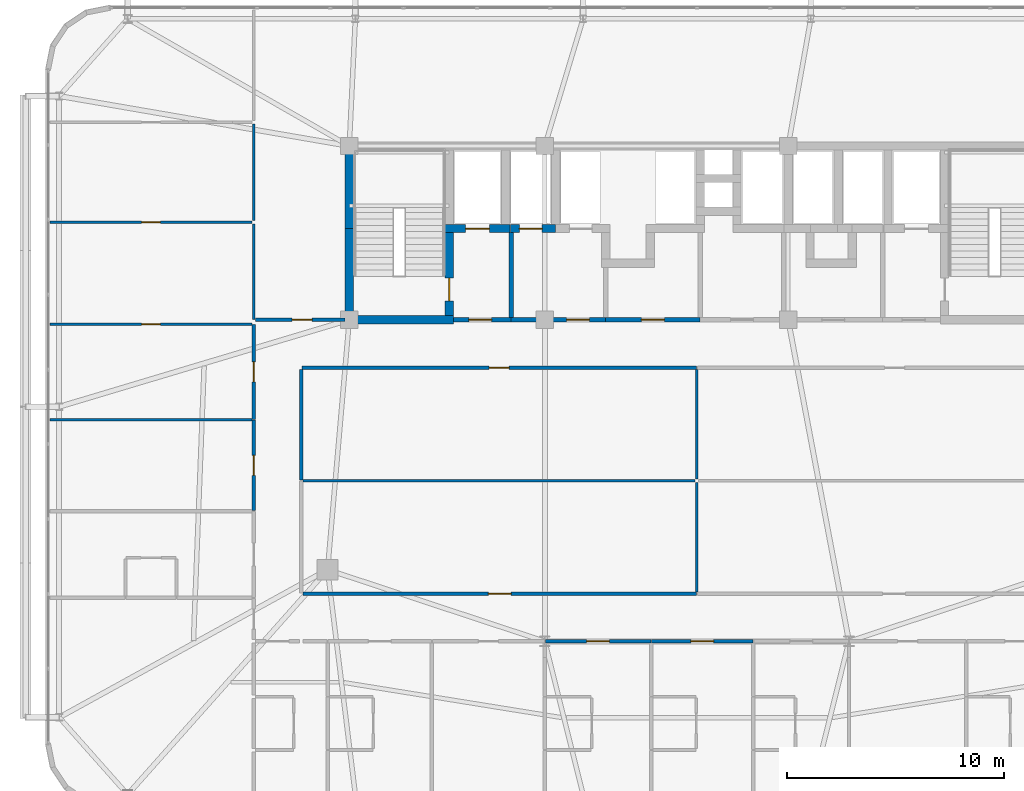
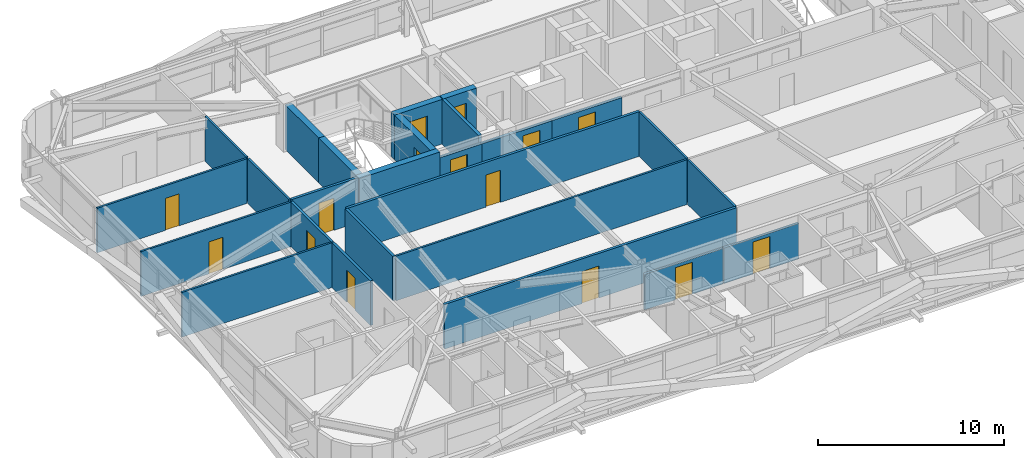
# One storey, part 53 of 59: 26 walls, 15 doors, 15 openings.
"""IFC4 building model written with IfcOpenShell, lengths in metres."""

from ifc_helpers import new_model, si_unit, direction, frame, frame_2d, origin, place, context, subcontext, project, spatial, rectangle, extrude, source, transform, mapped, material, layer, layer_set, type_object, element, fill, save


model = new_model("IFC4")

# Units and contexts
model_context = context("Model", 3, precision=1e-05, world=origin(), true_north=direction((0.0, 1.0)))
body_context = subcontext(model_context, "Body", "Model", "MODEL_VIEW")
ifc_project = project(units=[si_unit("LENGTHUNIT", "METRE"), si_unit("AREAUNIT", "SQUARE_METRE"), si_unit("VOLUMEUNIT", "CUBIC_METRE"), si_unit("PLANEANGLEUNIT", "RADIAN"), si_unit("MASSUNIT", "GRAM", prefix="KILO")], contexts=[model_context])

# Site, building, storey
site_placement = place(None, origin())
site = spatial("IfcSite", under=ifc_project, at=site_placement, CompositionType="ELEMENT")
building_placement = place(site_placement, origin())
building = spatial("IfcBuilding", under=site, at=building_placement, Name="Taldren Reach Tower", CompositionType="ELEMENT")
storey_placement = place(building_placement, frame((0.0, 0.0, 23.10009765625)))
storey = spatial("IfcBuildingStorey", under=building, at=storey_placement, Name="L06", CompositionType="ELEMENT", Elevation=23.10009765625)

# Walls
ifc_material_1 = material(Name="Concrete S80 (80 MPa)", Category="concrete")
ifc_layer_1 = layer(ifc_material_1, 0.3798828125)
ifc_layer_set_1 = layer_set([ifc_layer_1], Name="Concrete S80 (80 MPa)")
wall_type_1 = type_object("IfcWallType", Name="IW-CORE-380", PredefinedType="SHEAR", material=ifc_layer_set_1)
shared_shape_1 = source(origin(), body_context, "Body", "SweptSolid", [
    extrude(rectangle(XDim=4.010009765625, YDim=0.3798828125, at=frame_2d((2.0048828125, 0.0))), origin(), (0.0, 0.0, 1.0), 2.929931640625),
])
wall_1_placement = place(storey_placement, frame((19.0, 24.18994140625, 0.0), z_axis=(0.0, 0.0, 1.0), x_axis=(0.0, 1.0, 0.0)))
element("IfcWall", 1, at=wall_1_placement, inside=storey, type_object=wall_type_1, Name="Rear Core Shear Wall W-CORE-L06-WEST1", PredefinedType="SHEAR", context=body_context, shape_type="MappedRepresentation", body=[
    mapped(shared_shape_1, transform((0.0, 0.0, 0.0), scale=1.0)),
])
shared_shape_2 = source(origin(), body_context, "Body", "SweptSolid", [
    extrude(rectangle(XDim=3.610107421875, YDim=0.3798828125, at=frame_2d((1.80517578125, 0.0))), origin(), (0.0, 0.0, 1.0), 2.929931640625),
])
wall_2_placement = place(storey_placement, frame((19.0, 28.199951171875, 0.0), z_axis=(0.0, 0.0, 1.0), x_axis=(0.0, 1.0, 0.0)))
element("IfcWall", 2, at=wall_2_placement, inside=storey, type_object=wall_type_1, Name="Rear Core Shear Wall W-CORE-L06-WEST2", PredefinedType="SHEAR", context=body_context, shape_type="MappedRepresentation", body=[
    mapped(shared_shape_2, transform((0.0, 0.0, 0.0), scale=1.0)),
])

# Wall, opening, door
shared_shape_3 = source(origin(), body_context, "Body", "SweptSolid", [
    extrude(rectangle(XDim=3.820068359375, YDim=0.3798828125, at=frame_2d((1.91015625, 0.0))), origin(), (0.0, 0.0, 1.0), 2.929931640625),
])
wall_3_placement = place(storey_placement, frame((23.60009765625, 24.18994140625, 0.0), z_axis=(0.0, 0.0, 1.0), x_axis=(0.0, 1.0, 0.0)))
wall_3 = element("IfcWall", 3, at=wall_3_placement, inside=storey, type_object=wall_type_1, Name="Rear Core Shear Wall W-INT-L06-002", PredefinedType="SHEAR", context=body_context, shape_type="MappedRepresentation", body=[
    mapped(shared_shape_3, transform((0.0, 0.0, 0.0), scale=1.0)),
])
shared_shape_4 = source(origin(), body_context, "Body", "SweptSolid", [
    extrude(rectangle(XDim=1.050048828125, YDim=2.10009765625, at=frame_2d((0.52490234375, 1.050048828125))), frame((0.0, 0.199951171875, 0.0), z_axis=(0.0, -1.0, 0.0), x_axis=(1.0, 0.0, 0.0)), (0.0, 0.0, 1.0), 0.39990234375),
])
opening_1_placement = place(wall_3_placement, frame((0.68505859375, 0.0, 0.0)))
opening_1 = element("IfcOpeningElement", 4, at=opening_1_placement, cuts=wall_3, Name="Opening DF-105", PredefinedType="OPENING", context=body_context, shape_type="MappedRepresentation", body=[
    mapped(shared_shape_4, transform((0.0, 0.0, 0.0), scale=1.0)),
])
ifc_material_2 = material(Name="Fire-Rated Care and Stair Exit Door")
door_type_1 = type_object("IfcDoorType", Name="ID-FIRE-105", OperationType="NOTDEFINED", PredefinedType="DOOR", material=ifc_material_2)
shared_shape_5 = source(origin(), body_context, "Body", "SweptSolid", [
    extrude(rectangle(XDim=1.050048828125, YDim=2.10009765625, at=frame_2d((0.52490234375, 1.050048828125))), frame((0.0, 0.02490234375, 0.0), z_axis=(0.0, -1.0, 0.0), x_axis=(1.0, 0.0, 0.0)), (0.0, 0.0, 1.0), 0.050048828125),
])
door_1_placement = place(opening_1_placement, origin())
door_1 = element("IfcDoor", 5, at=door_1_placement, inside=storey, type_object=door_type_1, Name="Fire Exit Stair Door DR-L06-001", OperationType="SINGLE_SWING_LEFT", OverallHeight=2.10009765625, OverallWidth=1.050048828125, PredefinedType="DOOR", context=body_context, shape_type="MappedRepresentation", body=[
    mapped(shared_shape_5, transform((0.0, 0.0, 0.0), scale=1.0)),
])
fill(opening_1, door_1)

# Wall
shared_shape_6 = source(origin(), body_context, "Body", "SweptSolid", [
    extrude(rectangle(XDim=4.97998046875, YDim=0.3798828125, at=frame_2d((2.489990234375, 0.0))), origin(), (0.0, 0.0, 1.0), 2.929931640625),
])
wall_4_placement = place(storey_placement, frame((18.81005859375, 24.0, 0.0), z_axis=(0.0, 0.0, 1.0), x_axis=(1.0, 0.0, 0.0)))
element("IfcWall", 6, at=wall_4_placement, inside=storey, type_object=wall_type_1, Name="Rear Core Shear Wall W-INT-L06-003", PredefinedType="SHEAR", context=body_context, shape_type="MappedRepresentation", body=[
    mapped(shared_shape_6, transform((0.0, 0.0, 0.0), scale=1.0)),
])

# Wall, opening, door
shared_shape_7 = source(origin(), body_context, "Body", "SweptSolid", [
    extrude(rectangle(XDim=2.97998046875, YDim=0.3798828125, at=frame_2d((1.489990234375, 0.0))), origin(), (0.0, 0.0, 1.0), 2.929931640625),
])
wall_5_placement = place(storey_placement, frame((23.409912109375, 28.199951171875, 0.0), z_axis=(0.0, 0.0, 1.0), x_axis=(1.0, 0.0, 0.0)))
wall_5 = element("IfcWall", 7, at=wall_5_placement, inside=storey, type_object=wall_type_1, Name="Rear Core Shear Wall W-INT-L06-004", PredefinedType="SHEAR", context=body_context, shape_type="MappedRepresentation", body=[
    mapped(shared_shape_7, transform((0.0, 0.0, 0.0), scale=1.0)),
])
shared_shape_8 = source(origin(), body_context, "Body", "SweptSolid", [
    extrude(rectangle(XDim=1.10009765625, YDim=2.14990234375, at=frame_2d((0.550048828125, 1.074951171875))), frame((0.0, 0.199951171875, 0.0), z_axis=(0.0, -1.0, 0.0), x_axis=(1.0, 0.0, 0.0)), (0.0, 0.0, 1.0), 0.39990234375),
])
opening_2_placement = place(wall_5_placement, frame((0.93994140625, 0.0, 0.0)))
opening_2 = element("IfcOpeningElement", 8, at=opening_2_placement, cuts=wall_5, Name="Opening LD-FL1", PredefinedType="OPENING", context=body_context, shape_type="MappedRepresentation", body=[
    mapped(shared_shape_8, transform((0.0, 0.0, 0.0), scale=1.0)),
])
ifc_material_3 = material(Name="Stainless Steel Gr 316 Emergency Lift Landing Door", Category="steel")
door_type_2 = type_object("IfcDoorType", Name="LD-EMG-110", OperationType="SLIDING_TO_LEFT", PredefinedType="DOOR", material=ifc_material_3)
shared_shape_9 = source(origin(), body_context, "Body", "SweptSolid", [
    extrude(rectangle(XDim=1.10009765625, YDim=2.14990234375, at=frame_2d((0.550048828125, 1.074951171875))), frame((0.0, 0.02490234375, 0.0), z_axis=(0.0, -1.0, 0.0), x_axis=(1.0, 0.0, 0.0)), (0.0, 0.0, 1.0), 0.050048828125),
])
door_2_placement = place(opening_2_placement, origin())
door_2 = element("IfcDoor", 9, at=door_2_placement, inside=storey, type_object=door_type_2, Name="Lift Landing Door LD-FL1-L06", OperationType="SLIDING_TO_LEFT", OverallHeight=2.14990234375, OverallWidth=1.10009765625, PredefinedType="DOOR", context=body_context, shape_type="MappedRepresentation", body=[
    mapped(shared_shape_9, transform((0.0, 0.0, 0.0), scale=1.0)),
])
fill(opening_2, door_2)

# Wall
ifc_material_4 = material(Name="Concrete S50 (50 MPa)", Category="concrete")
ifc_layer_2 = layer(ifc_material_4, 0.199951171875)
ifc_layer_set_2 = layer_set([ifc_layer_2], Name="Concrete S50 (50 MPa)")
wall_type_2 = type_object("IfcWallType", Name="IW-CORE-200", PredefinedType="SOLIDWALL", material=ifc_layer_set_2)
shared_shape_10 = source(origin(), body_context, "Body", "SweptSolid", [
    extrude(rectangle(XDim=3.909912109375, YDim=0.199951171875, at=frame_2d((1.955078125, 0.0))), origin(), (0.0, 0.0, 1.0), 2.929931640625),
])
wall_6_placement = place(storey_placement, frame((26.449951171875, 24.10009765625, 0.0), z_axis=(0.0, 0.0, 1.0), x_axis=(0.0, 1.0, 0.0)))
element("IfcWall", 10, at=wall_6_placement, inside=storey, type_object=wall_type_2, Name="Rear Core Shear Wall W-INT-L06-006", PredefinedType="SOLIDWALL", context=body_context, shape_type="MappedRepresentation", body=[
    mapped(shared_shape_10, transform((0.0, 0.0, 0.0), scale=1.0)),
])

# Wall, opening, door
shared_shape_11 = source(origin(), body_context, "Body", "SweptSolid", [
    extrude(rectangle(XDim=2.659912109375, YDim=0.199951171875, at=frame_2d((1.330078125, 0.0))), origin(), (0.0, 0.0, 1.0), 2.469970703125),
])
wall_7_placement = place(storey_placement, frame((23.7900390625, 24.0, 0.0), z_axis=(0.0, 0.0, 1.0), x_axis=(1.0, 0.0, 0.0)))
wall_7 = element("IfcWall", 11, at=wall_7_placement, inside=storey, type_object=wall_type_2, Name="Rear Core Shear Wall W-INT-L06-007", PredefinedType="SOLIDWALL", context=body_context, shape_type="MappedRepresentation", body=[
    mapped(shared_shape_11, transform((0.0, 0.0, 0.0), scale=1.0)),
])
shared_shape_12 = source(origin(), body_context, "Body", "SweptSolid", [
    extrude(rectangle(XDim=1.050048828125, YDim=2.10009765625, at=frame_2d((0.52490234375, 1.050048828125))), frame((0.0, 0.10986328125, 0.0), z_axis=(0.0, -1.0, 0.0), x_axis=(1.0, 0.0, 0.0)), (0.0, 0.0, 1.0), 0.219970703125),
])
opening_3_placement = place(wall_7_placement, frame((0.7099609375, 0.0, 0.0)))
opening_3 = element("IfcOpeningElement", 12, at=opening_3_placement, cuts=wall_7, Name="Opening DF-105", PredefinedType="OPENING", context=body_context, shape_type="MappedRepresentation", body=[
    mapped(shared_shape_12, transform((0.0, 0.0, 0.0), scale=1.0)),
])
door_3_placement = place(opening_3_placement, origin())
door_3 = element("IfcDoor", 13, at=door_3_placement, inside=storey, type_object=door_type_1, Name="Interior Door DR-L06-002", OperationType="SINGLE_SWING_LEFT", OverallHeight=2.10009765625, OverallWidth=1.050048828125, PredefinedType="DOOR", context=body_context, shape_type="MappedRepresentation", body=[
    mapped(shared_shape_5, transform((0.0, 0.0, 0.0), scale=1.0)),
])
fill(opening_3, door_3)

shared_shape_13 = source(origin(), body_context, "Body", "SweptSolid", [
    extrude(rectangle(XDim=2.070068359375, YDim=0.3798828125, at=frame_2d((1.03515625, 0.0))), origin(), (0.0, 0.0, 1.0), 2.929931640625),
])
wall_8_placement = place(storey_placement, frame((26.429931640625, 28.199951171875, 0.0), z_axis=(0.0, 0.0, 1.0), x_axis=(1.0, 0.0, 0.0)))
wall_8 = element("IfcWall", 14, at=wall_8_placement, inside=storey, type_object=wall_type_1, Name="Rear Core Shear Wall W-INT-L06-030", PredefinedType="SHEAR", context=body_context, shape_type="MappedRepresentation", body=[
    mapped(shared_shape_13, transform((0.0, 0.0, 0.0), scale=1.0)),
])
shared_shape_14 = source(origin(), body_context, "Body", "SweptSolid", [
    extrude(rectangle(XDim=1.050048828125, YDim=2.14990234375, at=frame_2d((0.52490234375, 1.074951171875))), frame((0.0, 0.199951171875, 0.0), z_axis=(0.0, -1.0, 0.0), x_axis=(1.0, 0.0, 0.0)), (0.0, 0.0, 1.0), 0.39990234375),
])
opening_4_placement = place(wall_8_placement, frame((0.39501953125, 0.0, 0.0)))
opening_4 = element("IfcOpeningElement", 15, at=opening_4_placement, cuts=wall_8, Name="Opening LD-PL1", PredefinedType="OPENING", context=body_context, shape_type="MappedRepresentation", body=[
    mapped(shared_shape_14, transform((0.0, 0.0, 0.0), scale=1.0)),
])
ifc_material_5 = material(Name="Stainless Steel Gr 316 Passenger Lift Landing Door", Category="steel")
door_type_3 = type_object("IfcDoorType", Name="LD-PAS-105", OperationType="SLIDING_TO_LEFT", PredefinedType="DOOR", material=ifc_material_5)
shared_shape_15 = source(origin(), body_context, "Body", "SweptSolid", [
    extrude(rectangle(XDim=1.050048828125, YDim=2.14990234375, at=frame_2d((0.52490234375, 1.074951171875))), frame((0.0, 0.02490234375, 0.0), z_axis=(0.0, -1.0, 0.0), x_axis=(1.0, 0.0, 0.0)), (0.0, 0.0, 1.0), 0.050048828125),
])
door_4_placement = place(opening_4_placement, origin())
door_4 = element("IfcDoor", 16, at=door_4_placement, inside=storey, type_object=door_type_3, Name="Lift Landing Door LD-PL1-L06", OperationType="SLIDING_TO_LEFT", OverallHeight=2.14990234375, OverallWidth=1.050048828125, PredefinedType="DOOR", context=body_context, shape_type="MappedRepresentation", body=[
    mapped(shared_shape_15, transform((0.0, 0.0, 0.0), scale=1.0)),
])
fill(opening_4, door_4)

shared_shape_16 = source(origin(), body_context, "Body", "SweptSolid", [
    extrude(rectangle(XDim=4.35009765625, YDim=0.199951171875, at=frame_2d((2.175048828125, 0.0))), origin(), (0.0, 0.0, 1.0), 2.469970703125),
])
wall_9_placement = place(storey_placement, frame((30.800048828125, 24.0, 0.0), z_axis=(0.0, 0.0, 1.0), x_axis=(-1.0, 0.0, 0.0)))
wall_9 = element("IfcWall", 17, at=wall_9_placement, inside=storey, type_object=wall_type_2, Name="Rear Core Shear Wall W-INT-L06-033", PredefinedType="SOLIDWALL", context=body_context, shape_type="MappedRepresentation", body=[
    mapped(shared_shape_16, transform((0.0, 0.0, 0.0), scale=1.0)),
])
opening_5_placement = place(wall_9_placement, frame((0.75, 0.0, 0.0)))
opening_5 = element("IfcOpeningElement", 18, at=opening_5_placement, cuts=wall_9, Name="Opening DF-105", PredefinedType="OPENING", context=body_context, shape_type="MappedRepresentation", body=[
    mapped(shared_shape_12, transform((0.0, 0.0, 0.0), scale=1.0)),
])
door_5_placement = place(opening_5_placement, frame((1.050048828125, 0.0, 0.0), z_axis=(0.0, 0.0, 1.0), x_axis=(-1.0, 0.0, 0.0)))
door_5 = element("IfcDoor", 19, at=door_5_placement, inside=storey, type_object=door_type_1, Name="Interior Door DR-L06-005", OperationType="SINGLE_SWING_RIGHT", OverallHeight=2.10009765625, OverallWidth=1.050048828125, PredefinedType="DOOR", context=body_context, shape_type="MappedRepresentation", body=[
    mapped(shared_shape_5, transform((0.0, 0.0, 0.0), scale=1.0)),
])
fill(opening_5, door_5)

ifc_material_6 = material(Name="Fire-Rated Acoustic Plasterboard Stud Wall", Category="gypsum")
ifc_layer_3 = layer(ifc_material_6, 0.159912109375)
ifc_layer_set_3 = layer_set([ifc_layer_3], Name="Fire-Rated Acoustic Plasterboard Stud Wall")
wall_type_3 = type_object("IfcWallType", Name="IW-FIRE-160", PredefinedType="PARTITIONING", material=ifc_layer_set_3)
shared_shape_17 = source(origin(), body_context, "Body", "SweptSolid", [
    extrude(rectangle(XDim=4.130126953125, YDim=0.159912109375, at=frame_2d((2.06494140625, 0.0))), origin(), (0.0, 0.0, 1.0), 2.929931640625),
])
wall_10_placement = place(storey_placement, frame((14.679931640625, 24.0, 0.0), z_axis=(0.0, 0.0, 1.0), x_axis=(1.0, 0.0, 0.0)))
wall_10 = element("IfcWall", 20, at=wall_10_placement, inside=storey, type_object=wall_type_3, Name="Interior Partition Wall W-INT-L06-063", PredefinedType="PARTITIONING", context=body_context, shape_type="MappedRepresentation", body=[
    mapped(shared_shape_17, transform((0.0, 0.0, 0.0), scale=1.0)),
])
shared_shape_18 = source(origin(), body_context, "Body", "SweptSolid", [
    extrude(rectangle(XDim=0.919921875, YDim=2.10009765625, at=frame_2d((0.4599609375, 1.050048828125))), frame((0.0, 0.08984375, 0.0), z_axis=(0.0, -1.0, 0.0), x_axis=(1.0, 0.0, 0.0)), (0.0, 0.0, 1.0), 0.179931640625),
])
opening_6_placement = place(wall_10_placement, frame((1.68994140625, 0.0, 0.0)))
opening_6 = element("IfcOpeningElement", 21, at=opening_6_placement, cuts=wall_10, Name="Opening DI-092", PredefinedType="OPENING", context=body_context, shape_type="MappedRepresentation", body=[
    mapped(shared_shape_18, transform((0.0, 0.0, 0.0), scale=1.0)),
])
ifc_material_7 = material(Name="Solid-Core Timber Suite Door", Category="wood")
door_type_4 = type_object("IfcDoorType", Name="ID-INT-092", OperationType="NOTDEFINED", PredefinedType="DOOR", material=ifc_material_7)
shared_shape_19 = source(origin(), body_context, "Body", "SweptSolid", [
    extrude(rectangle(XDim=0.919921875, YDim=2.10009765625, at=frame_2d((0.4599609375, 1.050048828125))), frame((0.0, 0.02490234375, 0.0), z_axis=(0.0, -1.0, 0.0), x_axis=(1.0, 0.0, 0.0)), (0.0, 0.0, 1.0), 0.050048828125),
])
door_6_placement = place(opening_6_placement, origin())
door_6 = element("IfcDoor", 22, at=door_6_placement, inside=storey, type_object=door_type_4, Name="Interior Door DR-L06-021", OperationType="SINGLE_SWING_RIGHT", OverallHeight=2.10009765625, OverallWidth=0.919921875, PredefinedType="DOOR", context=body_context, shape_type="MappedRepresentation", body=[
    mapped(shared_shape_19, transform((0.0, 0.0, 0.0), scale=1.0)),
])
fill(opening_6, door_6)

shared_shape_20 = source(origin(), body_context, "Body", "SweptSolid", [
    extrude(rectangle(XDim=4.349853515625, YDim=0.199951171875, at=frame_2d((2.1748046875, 0.0))), origin(), (0.0, 0.0, 1.0), 2.469970703125),
])
wall_11_placement = place(storey_placement, frame((35.14990234375, 24.0, 0.0), z_axis=(0.0, 0.0, 1.0), x_axis=(-1.0, 0.0, 0.0)))
wall_11 = element("IfcWall", 23, at=wall_11_placement, inside=storey, type_object=wall_type_2, Name="Rear Core Shear Wall W-INT-L06-043", PredefinedType="SOLIDWALL", context=body_context, shape_type="MappedRepresentation", body=[
    mapped(shared_shape_20, transform((0.0, 0.0, 0.0), scale=1.0)),
])
opening_7_placement = place(wall_11_placement, frame((1.64990234375, 0.0, 0.0)))
opening_7 = element("IfcOpeningElement", 24, at=opening_7_placement, cuts=wall_11, Name="Opening DF-105", PredefinedType="OPENING", context=body_context, shape_type="MappedRepresentation", body=[
    mapped(shared_shape_12, transform((0.0, 0.0, 0.0), scale=1.0)),
])
door_7_placement = place(opening_7_placement, frame((1.050048828125, 0.0, 0.0), z_axis=(0.0, 0.0, 1.0), x_axis=(-1.0, 0.0, 0.0)))
door_7 = element("IfcDoor", 25, at=door_7_placement, inside=storey, type_object=door_type_1, Name="Interior Door DR-L06-006", OperationType="SINGLE_SWING_RIGHT", OverallHeight=2.10009765625, OverallWidth=1.050048828125, PredefinedType="DOOR", context=body_context, shape_type="MappedRepresentation", body=[
    mapped(shared_shape_5, transform((0.0, 0.0, 0.0), scale=1.0)),
])
fill(opening_7, door_7)

shared_shape_21 = source(origin(), body_context, "Body", "SweptSolid", [
    extrude(rectangle(XDim=18.159423828125, YDim=0.159912109375, at=frame_2d((9.07958984375, 0.0))), origin(), (0.0, 0.0, 1.0), 2.929931640625),
])
wall_12_placement = place(storey_placement, frame((34.979736328125, 21.800048828125, 0.0), z_axis=(0.0, 0.0, 1.0), x_axis=(-1.0, 0.0, 0.0)))
wall_12 = element("IfcWall", 26, at=wall_12_placement, inside=storey, type_object=wall_type_3, Name="Interior Partition Wall W-INT-L06-048", PredefinedType="PARTITIONING", context=body_context, shape_type="MappedRepresentation", body=[
    mapped(shared_shape_21, transform((0.0, 0.0, 0.0), scale=1.0)),
])
opening_8_placement = place(wall_12_placement, frame((8.619873046875, 0.0, 0.0)))
opening_8 = element("IfcOpeningElement", 27, at=opening_8_placement, cuts=wall_12, Name="Opening DI-092", PredefinedType="OPENING", context=body_context, shape_type="MappedRepresentation", body=[
    mapped(shared_shape_18, transform((0.0, 0.0, 0.0), scale=1.0)),
])
door_8_placement = place(opening_8_placement, origin())
door_8 = element("IfcDoor", 28, at=door_8_placement, inside=storey, type_object=door_type_4, Name="Interior Door DR-L06-009", OperationType="SINGLE_SWING_RIGHT", OverallHeight=2.10009765625, OverallWidth=0.919921875, PredefinedType="DOOR", context=body_context, shape_type="MappedRepresentation", body=[
    mapped(shared_shape_19, transform((0.0, 0.0, 0.0), scale=1.0)),
])
fill(opening_8, door_8)

# Wall
shared_shape_22 = source(origin(), body_context, "Body", "SweptSolid", [
    extrude(rectangle(XDim=5.099853515625, YDim=0.159912109375, at=frame_2d((2.5498046875, 0.0))), origin(), (0.0, 0.0, 1.0), 2.929931640625),
])
wall_13_placement = place(storey_placement, frame((16.800048828125, 21.719970703125, 0.0), z_axis=(0.0, 0.0, 1.0), x_axis=(0.0, -1.0, 0.0)))
element("IfcWall", 29, at=wall_13_placement, inside=storey, type_object=wall_type_3, Name="Interior Partition Wall W-INT-L06-049", PredefinedType="PARTITIONING", context=body_context, shape_type="MappedRepresentation", body=[
    mapped(shared_shape_22, transform((0.0, 0.0, 0.0), scale=1.0)),
])

# Wall, opening, door
shared_shape_23 = source(origin(), body_context, "Body", "SweptSolid", [
    extrude(rectangle(XDim=4.15966796875, YDim=0.159912109375, at=frame_2d((2.079833984375, 0.0))), origin(), (0.0, 0.0, 1.0), 2.929931640625),
])
wall_14_placement = place(storey_placement, frame((14.60009765625, 15.22021484375, 0.0), z_axis=(0.0, 0.0, 1.0), x_axis=(0.0, 1.0, 0.0)))
wall_14 = element("IfcWall", 30, at=wall_14_placement, inside=storey, type_object=wall_type_3, Name="Interior Partition Wall W-INT-L06-057", PredefinedType="PARTITIONING", context=body_context, shape_type="MappedRepresentation", body=[
    mapped(shared_shape_23, transform((0.0, 0.0, 0.0), scale=1.0)),
])
opening_9_placement = place(wall_14_placement, frame((1.619873046875, 0.0, 0.0)))
opening_9 = element("IfcOpeningElement", 31, at=opening_9_placement, cuts=wall_14, Name="Opening DI-092", PredefinedType="OPENING", context=body_context, shape_type="MappedRepresentation", body=[
    mapped(shared_shape_18, transform((0.0, 0.0, 0.0), scale=1.0)),
])
door_9_placement = place(opening_9_placement, origin())
door_9 = element("IfcDoor", 32, at=door_9_placement, inside=storey, type_object=door_type_4, Name="Interior Door DR-L06-015", OperationType="SINGLE_SWING_RIGHT", OverallHeight=2.10009765625, OverallWidth=0.919921875, PredefinedType="DOOR", context=body_context, shape_type="MappedRepresentation", body=[
    mapped(shared_shape_19, transform((0.0, 0.0, 0.0), scale=1.0)),
])
fill(opening_9, door_9)

shared_shape_24 = source(origin(), body_context, "Body", "SweptSolid", [
    extrude(rectangle(XDim=4.359619140625, YDim=0.159912109375, at=frame_2d((2.1796875, 0.0))), origin(), (0.0, 0.0, 1.0), 2.929931640625),
])
wall_15_placement = place(storey_placement, frame((14.60009765625, 19.420166015625, 0.0), z_axis=(0.0, 0.0, 1.0), x_axis=(0.0, 1.0, 0.0)))
wall_15 = element("IfcWall", 33, at=wall_15_placement, inside=storey, type_object=wall_type_3, Name="Interior Partition Wall W-INT-L06-058", PredefinedType="PARTITIONING", context=body_context, shape_type="MappedRepresentation", body=[
    mapped(shared_shape_24, transform((0.0, 0.0, 0.0), scale=1.0)),
])
opening_10_placement = place(wall_15_placement, frame((1.7197265625, 0.0, 0.0)))
opening_10 = element("IfcOpeningElement", 34, at=opening_10_placement, cuts=wall_15, Name="Opening DI-092", PredefinedType="OPENING", context=body_context, shape_type="MappedRepresentation", body=[
    mapped(shared_shape_18, transform((0.0, 0.0, 0.0), scale=1.0)),
])
door_10_placement = place(opening_10_placement, origin())
door_10 = element("IfcDoor", 35, at=door_10_placement, inside=storey, type_object=door_type_4, Name="Interior Door DR-L06-016", OperationType="SINGLE_SWING_LEFT", OverallHeight=2.10009765625, OverallWidth=0.919921875, PredefinedType="DOOR", context=body_context, shape_type="MappedRepresentation", body=[
    mapped(shared_shape_19, transform((0.0, 0.0, 0.0), scale=1.0)),
])
fill(opening_10, door_10)

shared_shape_25 = source(origin(), body_context, "Body", "SweptSolid", [
    extrude(rectangle(XDim=18.099853515625, YDim=0.159912109375, at=frame_2d((9.0498046875, 0.0))), origin(), (0.0, 0.0, 1.0), 2.929931640625),
])
wall_16_placement = place(storey_placement, frame((16.8798828125, 11.39990234375, 0.0), z_axis=(0.0, 0.0, 1.0), x_axis=(1.0, 0.0, 0.0)))
wall_16 = element("IfcWall", 36, at=wall_16_placement, inside=storey, type_object=wall_type_3, Name="Interior Partition Wall W-INT-L06-065", PredefinedType="PARTITIONING", context=body_context, shape_type="MappedRepresentation", body=[
    mapped(shared_shape_25, transform((0.0, 0.0, 0.0), scale=1.0)),
])
shared_shape_26 = source(origin(), body_context, "Body", "SweptSolid", [
    extrude(rectangle(XDim=1.050048828125, YDim=2.10009765625, at=frame_2d((0.52490234375, 1.050048828125))), frame((0.0, 0.08984375, 0.0), z_axis=(0.0, -1.0, 0.0), x_axis=(1.0, 0.0, 0.0)), (0.0, 0.0, 1.0), 0.179931640625),
])
opening_11_placement = place(wall_16_placement, frame((8.52490234375, 0.0, 0.0)))
opening_11 = element("IfcOpeningElement", 37, at=opening_11_placement, cuts=wall_16, Name="Opening DF-105", PredefinedType="OPENING", context=body_context, shape_type="MappedRepresentation", body=[
    mapped(shared_shape_26, transform((0.0, 0.0, 0.0), scale=1.0)),
])
door_11_placement = place(opening_11_placement, origin())
door_11 = element("IfcDoor", 38, at=door_11_placement, inside=storey, type_object=door_type_1, Name="Interior Door DR-L06-022", OperationType="SINGLE_SWING_LEFT", OverallHeight=2.10009765625, OverallWidth=1.050048828125, PredefinedType="DOOR", context=body_context, shape_type="MappedRepresentation", body=[
    mapped(shared_shape_5, transform((0.0, 0.0, 0.0), scale=1.0)),
])
fill(opening_11, door_11)

# Walls
ifc_material_8 = material(Name="Insulated Residential Stud Partition", Category="gypsum")
ifc_layer_4 = layer(ifc_material_8, 0.1201171875)
ifc_layer_set_4 = layer_set([ifc_layer_4], Name="Insulated Residential Stud Partition")
wall_type_4 = type_object("IfcWallType", Name="IW-PART-120", PredefinedType="PARTITIONING", material=ifc_layer_set_4)
shared_shape_27 = source(origin(), body_context, "Body", "SweptSolid", [
    extrude(rectangle(XDim=18.0400390625, YDim=0.1201171875, at=frame_2d((9.02001953125, 0.0))), origin(), (0.0, 0.0, 1.0), 2.929931640625),
])
wall_17_placement = place(storey_placement, frame((16.8798828125, 16.60009765625, 0.0), z_axis=(0.0, 0.0, 1.0), x_axis=(1.0, 0.0, 0.0)))
element("IfcWall", 39, at=wall_17_placement, inside=storey, type_object=wall_type_4, Name="Interior Partition Wall W-INT-L06-076", PredefinedType="PARTITIONING", context=body_context, shape_type="MappedRepresentation", body=[
    mapped(shared_shape_27, transform((0.0, 0.0, 0.0), scale=1.0)),
])
shared_shape_28 = source(origin(), body_context, "Body", "SweptSolid", [
    extrude(rectangle(XDim=5.0400390625, YDim=0.1201171875, at=frame_2d((2.52001953125, 0.0))), origin(), (0.0, 0.0, 1.0), 2.929931640625),
])
for number, where, z_axis, x_axis, name in (
    (40, (35.0, 16.52001953125, 0.0), (0.0, 0.0, 1.0), (0.0, -1.0, 0.0), "Interior Partition Wall W-INT-L06-077"),
    (41, (35.0, 21.719970703125, 0.0), (0.0, 0.0, 1.0), (0.0, -1.0, 0.0), "Interior Partition Wall W-INT-L06-078"),
):
    element("IfcWall", number, at=place(storey_placement, frame(where, z_axis=z_axis, x_axis=x_axis)), inside=storey, type_object=wall_type_4, Name=name, PredefinedType="PARTITIONING", context=body_context, shape_type="MappedRepresentation", body=[
        mapped(shared_shape_28, transform((0.0, 0.0, 0.0), scale=1.0)),
    ])
shared_shape_29 = source(origin(), body_context, "Body", "SweptSolid", [
    extrude(rectangle(XDim=9.2900390625, YDim=0.1201171875, at=frame_2d((4.64501953125, 0.0))), origin(), (0.0, 0.0, 1.0), 2.929931640625),
])
wall_18_placement = place(storey_placement, frame((5.22998046875, 19.39990234375, 0.0), z_axis=(0.0, 0.0, 1.0), x_axis=(1.0, 0.0, 0.0)))
element("IfcWall", 42, at=wall_18_placement, inside=storey, type_object=wall_type_4, Name="Interior Partition Wall W-INT-L06-132", PredefinedType="PARTITIONING", context=body_context, shape_type="MappedRepresentation", body=[
    mapped(shared_shape_29, transform((0.0, 0.0, 0.0), scale=1.0)),
])

# Wall, opening, door
wall_19_placement = place(storey_placement, frame((5.22998046875, 23.800048828125, 0.0), z_axis=(0.0, 0.0, 1.0), x_axis=(1.0, 0.0, 0.0)))
wall_19 = element("IfcWall", 43, at=wall_19_placement, inside=storey, type_object=wall_type_4, Name="Interior Partition Wall W-INT-L06-133", PredefinedType="PARTITIONING", context=body_context, shape_type="MappedRepresentation", body=[
    mapped(shared_shape_29, transform((0.0, 0.0, 0.0), scale=1.0)),
])
shared_shape_30 = source(origin(), body_context, "Body", "SweptSolid", [
    extrude(rectangle(XDim=0.860107421875, YDim=2.10009765625, at=frame_2d((0.43017578125, 1.050048828125))), frame((0.0, 0.070068359375, 0.0), z_axis=(0.0, -1.0, 0.0), x_axis=(1.0, 0.0, 0.0)), (0.0, 0.0, 1.0), 0.14013671875),
])
opening_12_placement = place(wall_19_placement, frame((4.215087890625, 0.0, 0.0)))
opening_12 = element("IfcOpeningElement", 44, at=opening_12_placement, cuts=wall_19, Name="Opening DI-086", PredefinedType="OPENING", context=body_context, shape_type="MappedRepresentation", body=[
    mapped(shared_shape_30, transform((0.0, 0.0, 0.0), scale=1.0)),
])
ifc_material_9 = material(Name="Timber Bathroom Door", Category="wood")
door_type_5 = type_object("IfcDoorType", Name="ID-INT-086", OperationType="NOTDEFINED", PredefinedType="DOOR", material=ifc_material_9)
shared_shape_31 = source(origin(), body_context, "Body", "SweptSolid", [
    extrude(rectangle(XDim=0.860107421875, YDim=2.10009765625, at=frame_2d((0.43017578125, 1.050048828125))), frame((0.0, 0.02490234375, 0.0), z_axis=(0.0, -1.0, 0.0), x_axis=(1.0, 0.0, 0.0)), (0.0, 0.0, 1.0), 0.050048828125),
])
door_12_placement = place(opening_12_placement, frame((0.860107421875, 0.0, 0.0), z_axis=(0.0, 0.0, 1.0), x_axis=(-1.0, 0.0, 0.0)))
door_12 = element("IfcDoor", 45, at=door_12_placement, inside=storey, type_object=door_type_5, Name="Interior Door DR-L06-040", OperationType="SINGLE_SWING_RIGHT", OverallHeight=2.10009765625, OverallWidth=0.860107421875, PredefinedType="DOOR", context=body_context, shape_type="MappedRepresentation", body=[
    mapped(shared_shape_31, transform((0.0, 0.0, 0.0), scale=1.0)),
])
fill(opening_12, door_12)

wall_20_placement = place(storey_placement, frame((5.22998046875, 28.5, 0.0), z_axis=(0.0, 0.0, 1.0), x_axis=(1.0, 0.0, 0.0)))
wall_20 = element("IfcWall", 46, at=wall_20_placement, inside=storey, type_object=wall_type_4, Name="Interior Partition Wall W-INT-L06-134", PredefinedType="PARTITIONING", context=body_context, shape_type="MappedRepresentation", body=[
    mapped(shared_shape_29, transform((0.0, 0.0, 0.0), scale=1.0)),
])
opening_13_placement = place(wall_20_placement, frame((4.215087890625, 0.0, 0.0)))
opening_13 = element("IfcOpeningElement", 47, at=opening_13_placement, cuts=wall_20, Name="Opening DI-086", PredefinedType="OPENING", context=body_context, shape_type="MappedRepresentation", body=[
    mapped(shared_shape_30, transform((0.0, 0.0, 0.0), scale=1.0)),
])
door_13_placement = place(opening_13_placement, origin())
door_13 = element("IfcDoor", 48, at=door_13_placement, inside=storey, type_object=door_type_5, Name="Interior Door DR-L06-041", OperationType="SINGLE_SWING_RIGHT", OverallHeight=2.10009765625, OverallWidth=0.860107421875, PredefinedType="DOOR", context=body_context, shape_type="MappedRepresentation", body=[
    mapped(shared_shape_31, transform((0.0, 0.0, 0.0), scale=1.0)),
])
fill(opening_13, door_13)

# Walls
shared_shape_32 = source(origin(), body_context, "Body", "SweptSolid", [
    extrude(rectangle(XDim=4.399658203125, YDim=0.1201171875, at=frame_2d((2.19970703125, 0.0))), origin(), (0.0, 0.0, 1.0), 2.929931640625),
])
wall_21_placement = place(storey_placement, frame((14.60009765625, 28.419921875, 0.0), z_axis=(0.0, 0.0, 1.0), x_axis=(0.0, -1.0, 0.0)))
element("IfcWall", 49, at=wall_21_placement, inside=storey, type_object=wall_type_4, Name="Interior Partition Wall W-INT-L06-135", PredefinedType="PARTITIONING", context=body_context, shape_type="MappedRepresentation", body=[
    mapped(shared_shape_32, transform((0.0, 0.0, 0.0), scale=1.0)),
])
shared_shape_33 = source(origin(), body_context, "Body", "SweptSolid", [
    extrude(rectangle(XDim=4.43994140625, YDim=0.1201171875, at=frame_2d((2.219970703125, 0.0))), origin(), (0.0, 0.0, 1.0), 2.929931640625),
])
wall_22_placement = place(storey_placement, frame((14.60009765625, 33.02001953125, 0.0), z_axis=(0.0, 0.0, 1.0), x_axis=(0.0, -1.0, 0.0)))
element("IfcWall", 50, at=wall_22_placement, inside=storey, type_object=wall_type_4, Name="Interior Partition Wall W-INT-L06-137", PredefinedType="PARTITIONING", context=body_context, shape_type="MappedRepresentation", body=[
    mapped(shared_shape_33, transform((0.0, 0.0, 0.0), scale=1.0)),
])

# Wall, opening, door
shared_shape_34 = source(origin(), body_context, "Body", "SweptSolid", [
    extrude(rectangle(XDim=4.859375, YDim=0.159912109375, at=frame_2d((2.4296875, 0.0))), origin(), (0.0, 0.0, 1.0), 2.327880859375),
])
wall_23_placement = place(storey_placement, frame((32.879638671875, 9.199951171875, 0.0), z_axis=(0.0, 0.0, 1.0), x_axis=(-1.0, 0.0, 0.0)))
wall_23 = element("IfcWall", 51, at=wall_23_placement, inside=storey, type_object=wall_type_3, Name="Interior Partition Wall W-INT-L06-070", PredefinedType="PARTITIONING", context=body_context, shape_type="MappedRepresentation", body=[
    mapped(shared_shape_34, transform((0.0, 0.0, 0.0), scale=1.0)),
])
opening_14_placement = place(wall_23_placement, frame((1.90478515625, 0.0, 0.0)))
opening_14 = element("IfcOpeningElement", 52, at=opening_14_placement, cuts=wall_23, Name="Opening DF-105", PredefinedType="OPENING", context=body_context, shape_type="MappedRepresentation", body=[
    mapped(shared_shape_26, transform((0.0, 0.0, 0.0), scale=1.0)),
])
door_14_placement = place(opening_14_placement, origin())
door_14 = element("IfcDoor", 53, at=door_14_placement, inside=storey, type_object=door_type_1, Name="Interior Door DR-L06-026", OperationType="SINGLE_SWING_LEFT", OverallHeight=2.10009765625, OverallWidth=1.050048828125, PredefinedType="DOOR", context=body_context, shape_type="MappedRepresentation", body=[
    mapped(shared_shape_5, transform((0.0, 0.0, 0.0), scale=1.0)),
])
fill(opening_14, door_14)

shared_shape_35 = source(origin(), body_context, "Body", "SweptSolid", [
    extrude(rectangle(XDim=4.6591796875, YDim=0.159912109375, at=frame_2d((2.32958984375, 0.0))), origin(), (0.0, 0.0, 1.0), 2.327880859375),
])
wall_24_placement = place(storey_placement, frame((37.57958984375, 9.199951171875, 0.0), z_axis=(0.0, 0.0, 1.0), x_axis=(-1.0, 0.0, 0.0)))
wall_24 = element("IfcWall", 54, at=wall_24_placement, inside=storey, type_object=wall_type_3, Name="Interior Partition Wall W-INT-L06-071", PredefinedType="PARTITIONING", context=body_context, shape_type="MappedRepresentation", body=[
    mapped(shared_shape_35, transform((0.0, 0.0, 0.0), scale=1.0)),
])
opening_15_placement = place(wall_24_placement, frame((1.8046875, 0.0, 0.0)))
opening_15 = element("IfcOpeningElement", 55, at=opening_15_placement, cuts=wall_24, Name="Opening DF-105", PredefinedType="OPENING", context=body_context, shape_type="MappedRepresentation", body=[
    mapped(shared_shape_26, transform((0.0, 0.0, 0.0), scale=1.0)),
])
door_15_placement = place(opening_15_placement, origin())
door_15 = element("IfcDoor", 56, at=door_15_placement, inside=storey, type_object=door_type_1, Name="Interior Door DR-L06-027", OperationType="SINGLE_SWING_RIGHT", OverallHeight=2.10009765625, OverallWidth=1.050048828125, PredefinedType="DOOR", context=body_context, shape_type="MappedRepresentation", body=[
    mapped(shared_shape_5, transform((0.0, 0.0, 0.0), scale=1.0)),
])
fill(opening_15, door_15)

save(model, "model.ifc")
